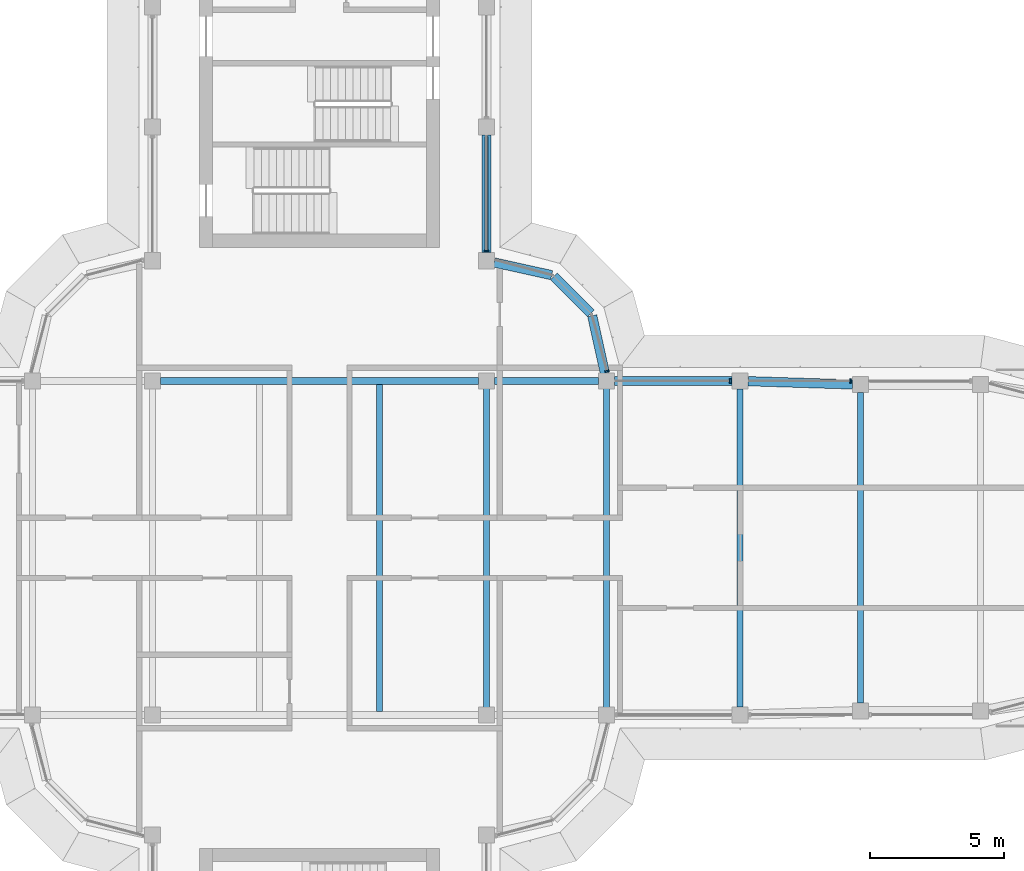
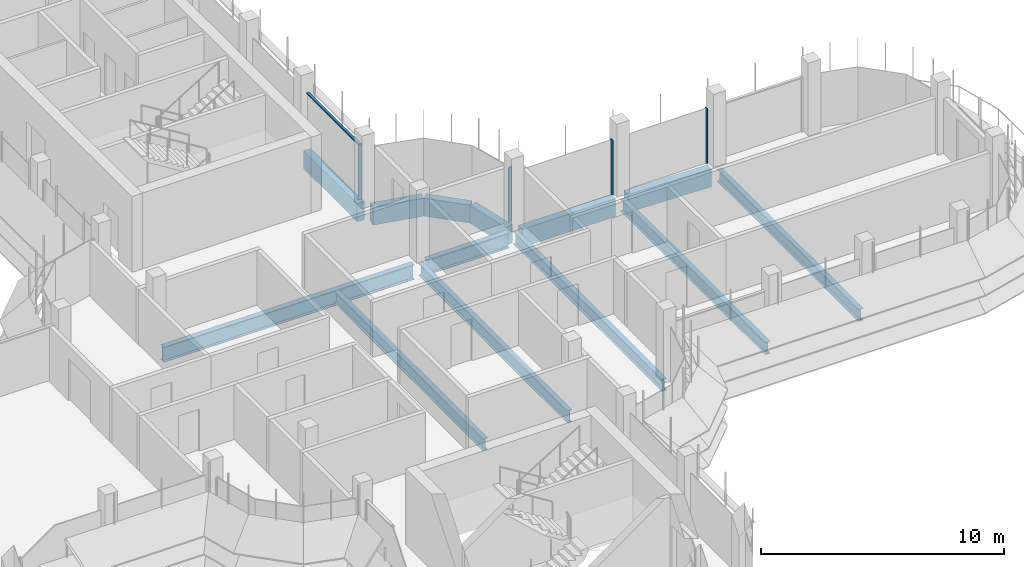
# One storey, part 8 of 20: 13 beams, 5 members, 3 elements without a shape of their own.
"""IFC4 building model written with IfcOpenShell, lengths in metres."""

from ifc_helpers import new_model, si_unit, direction, frame, origin, origin_2d, place, context, subcontext, project, spatial, polyline, rectangle, i_section, outline, extrude, source, transform, mapped, material, material_profile, profile_set, type_object, element, aggregate, save


model = new_model("IFC4")

# Units and contexts
model_context = context("Model", 3, precision=1e-05, world=origin(), true_north=direction((0.0, 1.0)))
body_context = subcontext(model_context, "Body", "Model", "MODEL_VIEW")
ifc_project = project(units=[si_unit("LENGTHUNIT", "METRE"), si_unit("AREAUNIT", "SQUARE_METRE"), si_unit("VOLUMEUNIT", "CUBIC_METRE"), si_unit("PLANEANGLEUNIT", "RADIAN"), si_unit("MASSUNIT", "GRAM", prefix="KILO")], contexts=[model_context])

# Site, building, storey
site_placement = place(None, origin())
site = spatial("IfcSite", under=ifc_project, at=site_placement, CompositionType="ELEMENT")
building_placement = place(site_placement, origin())
building = spatial("IfcBuilding", under=site, at=building_placement, Name="Zarbagh Exchange Tower", CompositionType="ELEMENT")
storey_placement = place(building_placement, frame((0.0, 0.0, 249.800048828125)))
storey = spatial("IfcBuildingStorey", under=building, at=storey_placement, Name="L61", CompositionType="ELEMENT", Elevation=249.800048828125)

# Beams
ifc_material_1 = material(Name="Steel ASTM A992 Gr 50", Category="steel")
ifc_material_profile_1 = material_profile(ifc_material_1, i_section(OverallWidth=0.228271484375, OverallDepth=0.607177734375, WebThickness=0.01123046875, FlangeThickness=0.017333984375, at=origin_2d()), Name="W24X76")
ifc_profile_set_1 = profile_set([ifc_material_profile_1], Name="Steel ASTM A992 Gr 50")
beam_type_1 = type_object("IfcBeamType", Name="Floor beam W24X76", PredefinedType="BEAM", material=ifc_profile_set_1)
for number, where, z_axis, x_axis, name in (
    (1, (2.25, -6.11669921875, -0.45361328125), (0.0, 1.0, 0.0), (-1.0, 0.0, 0.0), "Steel floor beam"),
    (2, (6.25, -6.11669921875, -0.45361328125), (0.0, 1.0, 0.0), (-1.0, 0.0, 0.0), "Steel floor beam"),
    (3, (10.75, -6.11669921875, -0.45361328125), (0.0, 1.0, 0.0), (-1.0, 0.0, 0.0), "Steel floor beam"),
):
    element("IfcBeam", number, at=place(storey_placement, frame(where, z_axis=z_axis, x_axis=x_axis)), inside=storey, type_object=beam_type_1, Name=name, PredefinedType="BEAM", context=body_context, shape_type="SweptSolid", body=[
        extrude(i_section(OverallWidth=0.228271484375, OverallDepth=0.607177734375, WebThickness=0.01123046875, FlangeThickness=0.017333984375, at=origin_2d()), origin(), (0.0, 0.0, 1.0), 12.2333984375),
    ])
beam_1_placement = place(storey_placement, frame((15.75, -5.949951171875, -0.45361328125), z_axis=(0.0, 1.0, 0.0), x_axis=(-1.0, 0.0, 0.0)))
element("IfcBeam", 4, at=beam_1_placement, inside=storey, type_object=beam_type_1, Name="Steel floor beam", PredefinedType="BEAM", context=body_context, shape_type="SweptSolid", body=[
    extrude(i_section(OverallWidth=0.228271484375, OverallDepth=0.607177734375, WebThickness=0.01123046875, FlangeThickness=0.017333984375, at=origin_2d()), origin(), (0.0, 0.0, 1.0), 11.89990234375),
])
beam_2_placement = place(storey_placement, frame((20.25, -5.81005859375, -0.45361328125), z_axis=(0.0, 1.0, 0.0), x_axis=(-1.0, 0.0, 0.0)))
element("IfcBeam", 5, at=beam_2_placement, inside=storey, type_object=beam_type_1, Name="Steel floor beam", PredefinedType="BEAM", context=body_context, shape_type="SweptSolid", body=[
    extrude(i_section(OverallWidth=0.228271484375, OverallDepth=0.607177734375, WebThickness=0.01123046875, FlangeThickness=0.017333984375, at=origin_2d()), origin(), (0.0, 0.0, 1.0), 11.6201171875),
])
ifc_material_profile_2 = material_profile(ifc_material_1, i_section(OverallWidth=0.2666015625, OverallDepth=0.7568359375, WebThickness=0.013916015625, FlangeThickness=0.019287109375, at=origin_2d()), Name="W30X108")
ifc_profile_set_2 = profile_set([ifc_material_profile_2], Name="Steel ASTM A992 Gr 50")
beam_type_2 = type_object("IfcBeamType", Name="Floor girder W30X108", PredefinedType="BEAM", material=ifc_profile_set_2)
beam_3_placement = place(storey_placement, frame((-5.949951171875, 6.25, -0.528564453125), z_axis=(1.0, 0.0, 0.0), x_axis=(0.0, 1.0, 0.0)))
element("IfcBeam", 6, at=beam_3_placement, inside=storey, type_object=beam_type_2, Name="Steel girder", PredefinedType="BEAM", context=body_context, shape_type="SweptSolid", body=[
    extrude(i_section(OverallWidth=0.2666015625, OverallDepth=0.7568359375, WebThickness=0.013916015625, FlangeThickness=0.019287109375, at=origin_2d()), origin(), (0.0, 0.0, 1.0), 11.89990234375),
])
beam_4_placement = place(storey_placement, frame((6.550048828125, 6.25, -0.528564453125), z_axis=(1.0, 0.0, 0.0), x_axis=(0.0, 1.0, 0.0)))
element("IfcBeam", 7, at=beam_4_placement, inside=storey, type_object=beam_type_2, Name="Steel girder", PredefinedType="BEAM", context=body_context, shape_type="SweptSolid", body=[
    extrude(i_section(OverallWidth=0.2666015625, OverallDepth=0.7568359375, WebThickness=0.013916015625, FlangeThickness=0.019287109375, at=origin_2d()), origin(), (0.0, 0.0, 1.0), 3.89990234375),
])
ifc_material_2 = material(Name="Concrete C40/50", Category="concrete")
ifc_material_profile_3 = material_profile(ifc_material_2, rectangle(XDim=0.35009765625, YDim=0.89990234375, at=origin_2d()), Name="RC spandrel beam 350 x 900 C40/50")
ifc_profile_set_3 = profile_set([ifc_material_profile_3], Name="Concrete C40/50")
beam_type_3 = type_object("IfcBeamType", Name="RC spandrel beam 350 x 900 C40/50", PredefinedType="SPANDREL", material=ifc_profile_set_3)
beam_5_placement = place(storey_placement, frame((6.25, 15.449951171875, -0.60009765625), z_axis=(0.0, -1.0, 0.0), x_axis=(1.0, 0.0, 0.0)))
element("IfcBeam", 8, at=beam_5_placement, inside=storey, type_object=beam_type_3, Name="RC spandrel beam", PredefinedType="SPANDREL", context=body_context, shape_type="SweptSolid", body=[
    extrude(rectangle(XDim=0.35009765625, YDim=0.89990234375, at=origin_2d()), origin(), (0.0, 0.0, 1.0), 4.39990234375),
])
beam_6_placement = place(storey_placement, frame((6.54296875, 10.685302734375, -0.60009765625), z_axis=(0.976387662047, -0.216025770228, 0.0), x_axis=(0.216025770228, 0.976387662047, 0.0)))
element("IfcBeam", 9, at=beam_6_placement, inside=storey, type_object=beam_type_3, Name="RC spandrel beam", PredefinedType="SPANDREL", context=body_context, shape_type="SweptSolid", body=[
    extrude(rectangle(XDim=0.35009765625, YDim=0.89990234375, at=origin_2d()), origin(), (0.0, 0.0, 1.0), 2.200439453125),
])
beam_7_placement = place(storey_placement, frame((8.77734375, 10.16259765625, -0.60009765625), z_axis=(0.707106781187, -0.707106781187, 0.0), x_axis=(0.707106781187, 0.707106781187, 0.0)))
element("IfcBeam", 10, at=beam_7_placement, inside=storey, type_object=beam_type_3, Name="RC spandrel beam", PredefinedType="SPANDREL", context=body_context, shape_type="SweptSolid", body=[
    extrude(rectangle(XDim=0.35009765625, YDim=0.89990234375, at=origin_2d()), origin(), (0.0, 0.0, 1.0), 1.958984375),
])
beam_8_placement = place(storey_placement, frame((10.2099609375, 8.69140625, -0.60009765625), z_axis=(0.216025770228, -0.976387662047, 0.0), x_axis=(0.976387662047, 0.216025770228, 0.0)))
element("IfcBeam", 11, at=beam_8_placement, inside=storey, type_object=beam_type_3, Name="RC spandrel beam", PredefinedType="SPANDREL", context=body_context, shape_type="SweptSolid", body=[
    extrude(rectangle(XDim=0.35009765625, YDim=0.89990234375, at=origin_2d()), origin(), (0.0, 0.0, 1.0), 2.200439453125),
])
beam_9_placement = place(storey_placement, frame((11.050048828125, 6.25, -0.60009765625), z_axis=(1.0, 0.0, 0.0), x_axis=(0.0, 1.0, 0.0)))
element("IfcBeam", 12, at=beam_9_placement, inside=storey, type_object=beam_type_3, Name="RC spandrel beam", PredefinedType="SPANDREL", context=body_context, shape_type="SweptSolid", body=[
    extrude(rectangle(XDim=0.35009765625, YDim=0.89990234375, at=origin_2d()), origin(), (0.0, 0.0, 1.0), 4.39990234375),
])
beam_10_placement = place(storey_placement, frame((16.0498046875, 6.24072265625, -0.60009765625), z_axis=(0.999516460907, -0.031094121249, 0.0), x_axis=(0.031094121249, 0.999516460907, 0.0)))
element("IfcBeam", 13, at=beam_10_placement, inside=storey, type_object=beam_type_3, Name="RC spandrel beam", PredefinedType="SPANDREL", context=body_context, shape_type="SweptSolid", body=[
    extrude(rectangle(XDim=0.35009765625, YDim=0.89990234375, at=origin_2d()), origin(), (0.0, 0.0, 1.0), 3.90234375),
])

# Curtain wall, members
ifc_material_3 = material(Name="Anodised aluminium frame and glazing", Category="aluminium")
curtain_wall_type = type_object("IfcCurtainWallType", Name="CWB Ribbon glazing, upper zones", PredefinedType="NOTDEFINED", material=ifc_material_3)
curtain_wall_1_placement = place(storey_placement, origin())
curtain_wall_1 = element("IfcCurtainWall", 14, at=curtain_wall_1_placement, inside=storey, type_object=curtain_wall_type, Name="CWB82 curtain wall", PredefinedType="NOTDEFINED")
ifc_material_4 = material(Name="Anodised aluminium frame", Category="aluminium")
member_type_1 = type_object("IfcMemberType", Name="MUB Mullion, anodised aluminium frame", PredefinedType="MULLION", material=ifc_material_4)
shared_shape_1 = source(origin(), body_context, "Body", "SweptSolid", [
    extrude(outline(polyline([(0.0, -0.080078125), (0.06005859375, -0.080078125), (0.06005859375, 0.080078125), (0.0, 0.080078125), (0.0, -0.080078125)])), origin(), (0.0, 0.0, 1.0), 2.75),
])
placement = place(storey_placement, origin())
member_1 = element("IfcMember", 15, at=placement, type_object=member_type_1, Name="CWB82 mullion 2.1", PredefinedType="MULLION", context=body_context, shape_type="MappedRepresentation", body=[
    mapped(shared_shape_1, transform((19.909912109375, 6.25, 0.0), x_axis=(-1.0, 0.0, 0.0), y_axis=(0.0, -1.0, 0.0), z_axis=(0.0, 0.0, 1.0))),
])
member_2 = element("IfcMember", 16, at=placement, type_object=member_type_1, Name="CWB82 mullion 3.1", PredefinedType="MULLION", context=body_context, shape_type="MappedRepresentation", body=[
    mapped(shared_shape_1, transform((15.409912109375, 6.25, 0.0), x_axis=(-1.0, 0.0, 0.0), y_axis=(0.0, -1.0, 0.0), z_axis=(0.0, 0.0, 1.0))),
])
aggregate(curtain_wall_1, [member_1, member_2])

# Curtain wall, member
curtain_wall_2_placement = place(storey_placement, origin())
curtain_wall_2 = element("IfcCurtainWall", 17, at=curtain_wall_2_placement, inside=storey, type_object=curtain_wall_type, Name="CWB17 curtain wall", PredefinedType="NOTDEFINED")
member_3 = element("IfcMember", 18, at=placement, type_object=member_type_1, Name="CWB17 mullion 1.1", PredefinedType="MULLION", context=body_context, shape_type="MappedRepresentation", body=[
    mapped(shared_shape_1, transform((10.775146484375, 6.590087890625, 0.0), x_axis=(-0.258824779902, 0.965924289636, 0.0), y_axis=(-0.965924289636, -0.258824779902, 0.0), z_axis=(0.0, 0.0, 1.0))),
])
aggregate(curtain_wall_2, [member_3])

# Curtain wall, members
curtain_wall_3_placement = place(storey_placement, origin())
curtain_wall_3 = element("IfcCurtainWall", 19, at=curtain_wall_3_placement, inside=storey, type_object=curtain_wall_type, Name="CWB67 curtain wall", PredefinedType="NOTDEFINED")
member_4 = element("IfcMember", 20, at=placement, type_object=member_type_1, Name="CWB67 mullion 1.1", PredefinedType="MULLION", context=body_context, shape_type="MappedRepresentation", body=[
    mapped(shared_shape_1, transform((6.25, 11.090087890625, 0.0), x_axis=(0.0, 1.0, 0.0), y_axis=(-1.0, 0.0, 0.0), z_axis=(0.0, 0.0, 1.0))),
])
member_type_2 = type_object("IfcMemberType", Name="TRB Transom, anodised aluminium frame", PredefinedType="USERDEFINED", material=ifc_material_4)
shared_shape_2 = source(origin(), body_context, "Body", "SweptSolid", [
    extrude(outline(polyline([(-0.06005859375, -0.06005859375), (0.0, -0.06005859375), (0.0, 0.06005859375), (-0.06005859375, 0.06005859375), (-0.06005859375, -0.06005859375)])), origin(), (0.0, 0.0, 1.0), 4.260009765625),
])
member_5 = element("IfcMember", 21, at=placement, type_object=member_type_2, Name="CWB67 transom 1.1", ObjectType="TRANSOM", PredefinedType="USERDEFINED", context=body_context, shape_type="MappedRepresentation", body=[
    mapped(shared_shape_2, transform((6.25, 11.150146484375, 2.75), x_axis=(0.0, 0.0, 1.0), y_axis=(1.0, 0.0, 0.0), z_axis=(0.0, 1.0, 0.0))),
])
aggregate(curtain_wall_3, [member_4, member_5])

save(model, "model.ifc")
